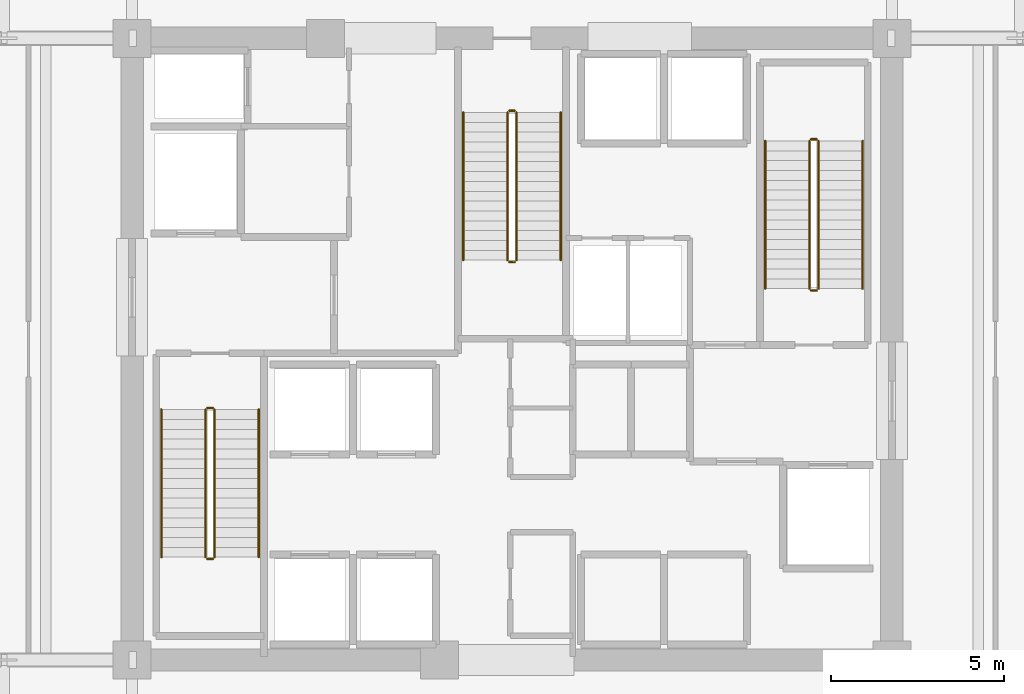
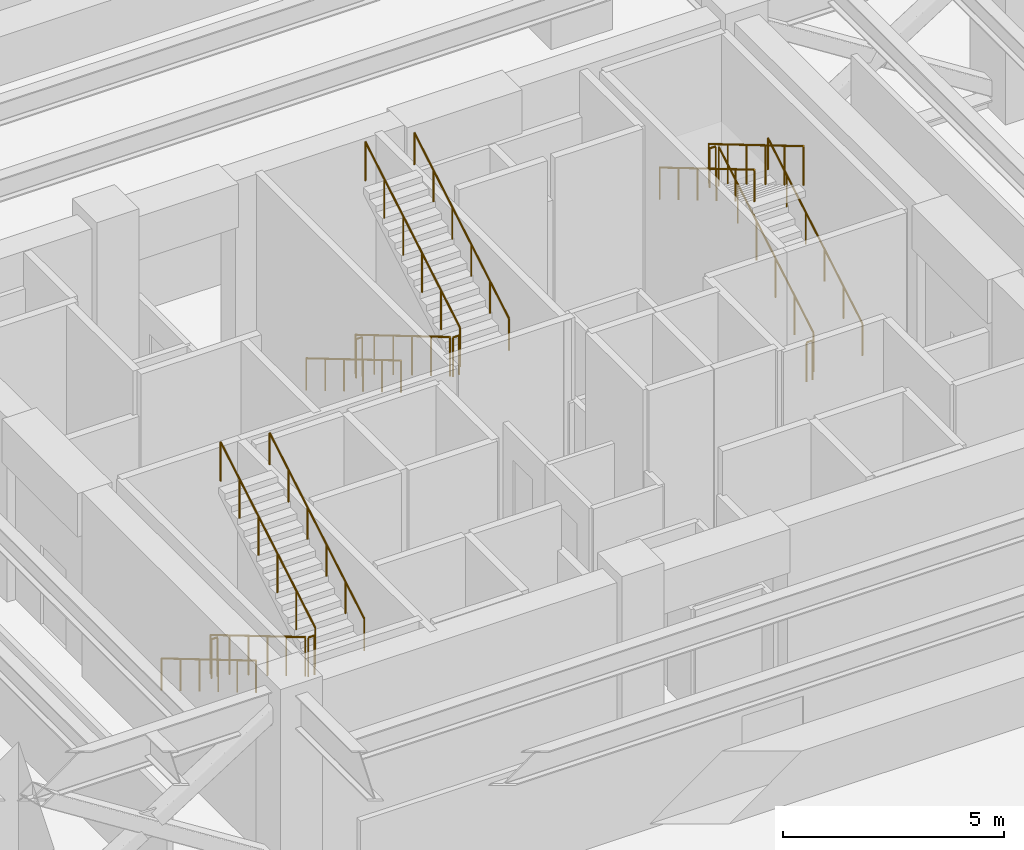
# One storey, part 26 of 26: 18 railings.
"""IFC4 building model written with IfcOpenShell, lengths in metres."""

from ifc_helpers import new_model, si_unit, direction, frame, origin, origin_2d, place, context, subcontext, project, spatial, circle, extrude, material, type_object, element, save


model = new_model("IFC4")

# Units and contexts
model_context = context("Model", 3, precision=1e-05, world=origin(), true_north=direction((0.0, 1.0)))
body_context = subcontext(model_context, "Body", "Model", "MODEL_VIEW")
ifc_project = project(units=[si_unit("LENGTHUNIT", "METRE"), si_unit("AREAUNIT", "SQUARE_METRE"), si_unit("VOLUMEUNIT", "CUBIC_METRE"), si_unit("PLANEANGLEUNIT", "RADIAN"), si_unit("MASSUNIT", "GRAM", prefix="KILO")], contexts=[model_context])

# Site, building, storey
site_placement = place(None, origin())
site = spatial("IfcSite", under=ifc_project, at=site_placement, CompositionType="ELEMENT")
building_placement = place(site_placement, origin())
building = spatial("IfcBuilding", under=site, at=building_placement, Name="Kovane Verandah Tower", CompositionType="ELEMENT")
storey_placement = place(building_placement, frame((0.0, 0.0, 113.0)))
storey = spatial("IfcBuildingStorey", under=building, at=storey_placement, Name="L26", CompositionType="ELEMENT", Elevation=113.0)

# Railings
ifc_material_1 = material(Name="Brushed Stainless Steel Handrail", Category="steel")
railing_type_1 = type_object("IfcRailingType", Name="RL-HAND-920", PredefinedType="HANDRAIL", material=ifc_material_1)
railing_1_placement = place(storey_placement, frame((29.85009765625, 25.75, 0.168701171875)))
element("IfcRailing", 1, at=railing_1_placement, inside=storey, type_object=railing_type_1, Name="L26 ST-01 stair handrail 1", PredefinedType="HANDRAIL", context=body_context, shape_type="SweptSolid", body=[
    extrude(circle(Radius=0.02392578125, at=origin_2d()), frame((0.0, 0.0, 0.8759765625), z_axis=(0.0, -0.860470286479, 0.509500624227), x_axis=(1.0, 0.0, 0.0)), (0.0, 0.0, 1.0), 4.968017578125),
    extrude(circle(Radius=0.02099609375, at=origin_2d()), origin(), (0.0, 0.0, 1.0), 0.851806640625),
    extrude(circle(Radius=0.02099609375, at=origin_2d()), frame((0.0, -0.85498046875, 0.50634765625)), (0.0, 0.0, 1.0), 0.851806640625),
    extrude(circle(Radius=0.02099609375, at=origin_2d()), frame((0.0, -1.7099609375, 1.012451171875)), (0.0, 0.0, 1.0), 0.851806640625),
    extrude(circle(Radius=0.02099609375, at=origin_2d()), frame((0.0, -2.56494140625, 1.518798828125)), (0.0, 0.0, 1.0), 0.851806640625),
    extrude(circle(Radius=0.02099609375, at=origin_2d()), frame((0.0, -3.419921875, 2.02490234375)), (0.0, 0.0, 1.0), 0.851806640625),
    extrude(circle(Radius=0.02099609375, at=origin_2d()), frame((0.0, -4.27490234375, 2.53125)), (0.0, 0.0, 1.0), 0.851806640625),
])
for number, where, name in (
    (2, (32.669921875, 21.47509765625, 2.86865234375), "L26 ST-01 stair handrail 2"),
    (3, (50.14990234375, 29.25, 0.168701171875), "L26 ST-02 stair handrail 1"),
):
    element("IfcRailing", number, at=place(storey_placement, frame(where)), inside=storey, type_object=railing_type_1, Name=name, PredefinedType="HANDRAIL", context=body_context, shape_type="SweptSolid", body=[
        extrude(circle(Radius=0.02392578125, at=origin_2d()), frame((0.0, 0.0, 0.8759765625), z_axis=(0.0, 0.860470286479, 0.509500624227), x_axis=(-1.0, 0.0, 0.0)), (0.0, 0.0, 1.0), 4.968017578125),
        extrude(circle(Radius=0.02099609375, at=origin_2d()), origin(), (0.0, 0.0, 1.0), 0.851806640625),
        extrude(circle(Radius=0.02099609375, at=origin_2d()), frame((0.0, 0.85498046875, 0.50634765625)), (0.0, 0.0, 1.0), 0.851806640625),
        extrude(circle(Radius=0.02099609375, at=origin_2d()), frame((0.0, 1.7099609375, 1.012451171875)), (0.0, 0.0, 1.0), 0.851806640625),
        extrude(circle(Radius=0.02099609375, at=origin_2d()), frame((0.0, 2.56494140625, 1.518798828125)), (0.0, 0.0, 1.0), 0.851806640625),
        extrude(circle(Radius=0.02099609375, at=origin_2d()), frame((0.0, 3.419921875, 2.02490234375)), (0.0, 0.0, 1.0), 0.851806640625),
        extrude(circle(Radius=0.02099609375, at=origin_2d()), frame((0.0, 4.27490234375, 2.53125)), (0.0, 0.0, 1.0), 0.851806640625),
    ])
railing_2_placement = place(storey_placement, frame((47.330078125, 33.52490234375, 2.86865234375)))
element("IfcRailing", 4, at=railing_2_placement, inside=storey, type_object=railing_type_1, Name="L26 ST-02 stair handrail 2", PredefinedType="HANDRAIL", context=body_context, shape_type="SweptSolid", body=[
    extrude(circle(Radius=0.02392578125, at=origin_2d()), frame((0.0, 0.0, 0.8759765625), z_axis=(0.0, -0.860470286479, 0.509500624227), x_axis=(1.0, 0.0, 0.0)), (0.0, 0.0, 1.0), 4.968017578125),
    extrude(circle(Radius=0.02099609375, at=origin_2d()), origin(), (0.0, 0.0, 1.0), 0.851806640625),
    extrude(circle(Radius=0.02099609375, at=origin_2d()), frame((0.0, -0.85498046875, 0.50634765625)), (0.0, 0.0, 1.0), 0.851806640625),
    extrude(circle(Radius=0.02099609375, at=origin_2d()), frame((0.0, -1.7099609375, 1.012451171875)), (0.0, 0.0, 1.0), 0.851806640625),
    extrude(circle(Radius=0.02099609375, at=origin_2d()), frame((0.0, -2.56494140625, 1.518798828125)), (0.0, 0.0, 1.0), 0.851806640625),
    extrude(circle(Radius=0.02099609375, at=origin_2d()), frame((0.0, -3.419921875, 2.02490234375)), (0.0, 0.0, 1.0), 0.851806640625),
    extrude(circle(Radius=0.02099609375, at=origin_2d()), frame((0.0, -4.27490234375, 2.53125)), (0.0, 0.0, 1.0), 0.851806640625),
])
railing_3_placement = place(storey_placement, frame((38.590087890625, 34.35009765625, 0.168701171875)))
element("IfcRailing", 5, at=railing_3_placement, inside=storey, type_object=railing_type_1, Name="L26 ST-03 stair handrail 1", PredefinedType="HANDRAIL", context=body_context, shape_type="SweptSolid", body=[
    extrude(circle(Radius=0.02392578125, at=origin_2d()), frame((0.0, 0.0, 0.8759765625), z_axis=(0.0, -0.860483042394, 0.50947908078), x_axis=(1.0, 0.0, 0.0)), (0.0, 0.0, 1.0), 4.96826171875),
    extrude(circle(Radius=0.02099609375, at=origin_2d()), origin(), (0.0, 0.0, 1.0), 0.851806640625),
    extrude(circle(Radius=0.02099609375, at=origin_2d()), frame((0.0, -0.85498046875, 0.50634765625)), (0.0, 0.0, 1.0), 0.851806640625),
    extrude(circle(Radius=0.02099609375, at=origin_2d()), frame((0.0, -1.7099609375, 1.012451171875)), (0.0, 0.0, 1.0), 0.851806640625),
    extrude(circle(Radius=0.02099609375, at=origin_2d()), frame((0.0, -2.565185546875, 1.518798828125)), (0.0, 0.0, 1.0), 0.851806640625),
    extrude(circle(Radius=0.02099609375, at=origin_2d()), frame((0.0, -3.420166015625, 2.02490234375)), (0.0, 0.0, 1.0), 0.851806640625),
    extrude(circle(Radius=0.02099609375, at=origin_2d()), frame((0.0, -4.275146484375, 2.53125)), (0.0, 0.0, 1.0), 0.851806640625),
])
railing_4_placement = place(storey_placement, frame((41.409912109375, 30.074951171875, 2.86865234375)))
element("IfcRailing", 6, at=railing_4_placement, inside=storey, type_object=railing_type_1, Name="L26 ST-03 stair handrail 2", PredefinedType="HANDRAIL", context=body_context, shape_type="SweptSolid", body=[
    extrude(circle(Radius=0.02392578125, at=origin_2d()), frame((0.0, 0.0, 0.8759765625), z_axis=(0.0, 0.860483042394, 0.50947908078), x_axis=(-1.0, 0.0, 0.0)), (0.0, 0.0, 1.0), 4.96826171875),
    extrude(circle(Radius=0.02099609375, at=origin_2d()), origin(), (0.0, 0.0, 1.0), 0.851806640625),
    extrude(circle(Radius=0.02099609375, at=origin_2d()), frame((0.0, 0.85498046875, 0.50634765625)), (0.0, 0.0, 1.0), 0.851806640625),
    extrude(circle(Radius=0.02099609375, at=origin_2d()), frame((0.0, 1.7099609375, 1.012451171875)), (0.0, 0.0, 1.0), 0.851806640625),
    extrude(circle(Radius=0.02099609375, at=origin_2d()), frame((0.0, 2.565185546875, 1.518798828125)), (0.0, 0.0, 1.0), 0.851806640625),
    extrude(circle(Radius=0.02099609375, at=origin_2d()), frame((0.0, 3.420166015625, 2.02490234375)), (0.0, 0.0, 1.0), 0.851806640625),
    extrude(circle(Radius=0.02099609375, at=origin_2d()), frame((0.0, 4.275146484375, 2.53125)), (0.0, 0.0, 1.0), 0.851806640625),
])
ifc_material_2 = material(Name="Painted Steel Stairwell Guardrail", Category="steel")
railing_type_2 = type_object("IfcRailingType", Name="RL-STGUARD-1120", PredefinedType="GUARDRAIL", material=ifc_material_2)
railing_5_placement = place(storey_placement, frame((31.1298828125, 25.75, 0.168701171875)))
element("IfcRailing", 7, at=railing_5_placement, inside=storey, type_object=railing_type_2, Name="L26 ST-01 stair guard 1", PredefinedType="GUARDRAIL", context=body_context, shape_type="SweptSolid", body=[
    extrude(circle(Radius=0.02392578125, at=origin_2d()), frame((0.0, 0.0, 1.076171875), z_axis=(0.0, -0.860470286479, 0.509500624227), x_axis=(1.0, 0.0, 0.0)), (0.0, 0.0, 1.0), 4.968017578125),
    extrude(circle(Radius=0.02099609375, at=origin_2d()), origin(), (0.0, 0.0, 1.0), 1.052001953125),
    extrude(circle(Radius=0.02099609375, at=origin_2d()), frame((0.0, -0.85498046875, 0.50634765625)), (0.0, 0.0, 1.0), 1.052001953125),
    extrude(circle(Radius=0.02099609375, at=origin_2d()), frame((0.0, -1.7099609375, 1.012451171875)), (0.0, 0.0, 1.0), 1.052001953125),
    extrude(circle(Radius=0.02099609375, at=origin_2d()), frame((0.0, -2.56494140625, 1.518798828125)), (0.0, 0.0, 1.0), 1.052001953125),
    extrude(circle(Radius=0.02099609375, at=origin_2d()), frame((0.0, -3.419921875, 2.02490234375)), (0.0, 0.0, 1.0), 1.052001953125),
    extrude(circle(Radius=0.02099609375, at=origin_2d()), frame((0.0, -4.27490234375, 2.53125)), (0.0, 0.0, 1.0), 1.052001953125),
])
railing_6_placement = place(storey_placement, frame((31.179931640625, 21.425048828125, 2.699951171875)))
element("IfcRailing", 8, at=railing_6_placement, inside=storey, type_object=railing_type_2, Name="L26 ST-01 stair guard 2", PredefinedType="GUARDRAIL", context=body_context, shape_type="SweptSolid", body=[
    extrude(circle(Radius=0.02392578125, at=origin_2d()), frame((0.0, 0.0, 1.076171875), z_axis=(1.0, 0.0, 0.0), x_axis=(0.0, 1.0, 0.0)), (0.0, 0.0, 1.0), 0.16015625),
    extrude(circle(Radius=0.02099609375, at=origin_2d()), origin(), (0.0, 0.0, 1.0), 1.052001953125),
    extrude(circle(Radius=0.02099609375, at=origin_2d()), frame((0.16015625, 0.0, 0.0)), (0.0, 0.0, 1.0), 1.052001953125),
])
railing_7_placement = place(storey_placement, frame((31.389892578125, 21.47509765625, 2.86865234375)))
element("IfcRailing", 9, at=railing_7_placement, inside=storey, type_object=railing_type_2, Name="L26 ST-01 stair guard 3", PredefinedType="GUARDRAIL", context=body_context, shape_type="SweptSolid", body=[
    extrude(circle(Radius=0.02392578125, at=origin_2d()), frame((0.0, 0.0, 1.076171875), z_axis=(0.0, 0.860470286479, 0.509500624227), x_axis=(-1.0, 0.0, 0.0)), (0.0, 0.0, 1.0), 4.968017578125),
    extrude(circle(Radius=0.02099609375, at=origin_2d()), origin(), (0.0, 0.0, 1.0), 1.052001953125),
    extrude(circle(Radius=0.02099609375, at=origin_2d()), frame((0.0, 0.85498046875, 0.50634765625)), (0.0, 0.0, 1.0), 1.052001953125),
    extrude(circle(Radius=0.02099609375, at=origin_2d()), frame((0.0, 1.7099609375, 1.012451171875)), (0.0, 0.0, 1.0), 1.052001953125),
    extrude(circle(Radius=0.02099609375, at=origin_2d()), frame((0.0, 2.56494140625, 1.518798828125)), (0.0, 0.0, 1.0), 1.052001953125),
    extrude(circle(Radius=0.02099609375, at=origin_2d()), frame((0.0, 3.419921875, 2.02490234375)), (0.0, 0.0, 1.0), 1.052001953125),
    extrude(circle(Radius=0.02099609375, at=origin_2d()), frame((0.0, 4.27490234375, 2.53125)), (0.0, 0.0, 1.0), 1.052001953125),
])
railing_8_placement = place(storey_placement, frame((31.179931640625, 25.800048828125, 0.0)))
element("IfcRailing", 10, at=railing_8_placement, inside=storey, type_object=railing_type_2, Name="L26 ST-01 stair guard 4", PredefinedType="GUARDRAIL", context=body_context, shape_type="SweptSolid", body=[
    extrude(circle(Radius=0.02392578125, at=origin_2d()), frame((0.0, 0.0, 1.076171875), z_axis=(1.0, 0.0, 0.0), x_axis=(0.0, 1.0, 0.0)), (0.0, 0.0, 1.0), 0.16015625),
    extrude(circle(Radius=0.02099609375, at=origin_2d()), origin(), (0.0, 0.0, 1.0), 1.052001953125),
    extrude(circle(Radius=0.02099609375, at=origin_2d()), frame((0.16015625, 0.0, 0.0)), (0.0, 0.0, 1.0), 1.052001953125),
])
railing_9_placement = place(storey_placement, frame((48.8701171875, 29.25, 0.168701171875)))
element("IfcRailing", 11, at=railing_9_placement, inside=storey, type_object=railing_type_2, Name="L26 ST-02 stair guard 1", PredefinedType="GUARDRAIL", context=body_context, shape_type="SweptSolid", body=[
    extrude(circle(Radius=0.02392578125, at=origin_2d()), frame((0.0, 0.0, 1.076171875), z_axis=(0.0, 0.860470286479, 0.509500624227), x_axis=(-1.0, 0.0, 0.0)), (0.0, 0.0, 1.0), 4.968017578125),
    extrude(circle(Radius=0.02099609375, at=origin_2d()), origin(), (0.0, 0.0, 1.0), 1.052001953125),
    extrude(circle(Radius=0.02099609375, at=origin_2d()), frame((0.0, 0.85498046875, 0.50634765625)), (0.0, 0.0, 1.0), 1.052001953125),
    extrude(circle(Radius=0.02099609375, at=origin_2d()), frame((0.0, 1.7099609375, 1.012451171875)), (0.0, 0.0, 1.0), 1.052001953125),
    extrude(circle(Radius=0.02099609375, at=origin_2d()), frame((0.0, 2.56494140625, 1.518798828125)), (0.0, 0.0, 1.0), 1.052001953125),
    extrude(circle(Radius=0.02099609375, at=origin_2d()), frame((0.0, 3.419921875, 2.02490234375)), (0.0, 0.0, 1.0), 1.052001953125),
    extrude(circle(Radius=0.02099609375, at=origin_2d()), frame((0.0, 4.27490234375, 2.53125)), (0.0, 0.0, 1.0), 1.052001953125),
])
railing_10_placement = place(storey_placement, frame((48.820068359375, 33.574951171875, 2.699951171875)))
element("IfcRailing", 12, at=railing_10_placement, inside=storey, type_object=railing_type_2, Name="L26 ST-02 stair guard 2", PredefinedType="GUARDRAIL", context=body_context, shape_type="SweptSolid", body=[
    extrude(circle(Radius=0.02392578125, at=origin_2d()), frame((0.0, 0.0, 1.076171875), z_axis=(-1.0, 0.0, 0.0), x_axis=(0.0, -1.0, 0.0)), (0.0, 0.0, 1.0), 0.16015625),
    extrude(circle(Radius=0.02099609375, at=origin_2d()), origin(), (0.0, 0.0, 1.0), 1.052001953125),
    extrude(circle(Radius=0.02099609375, at=origin_2d()), frame((-0.16015625, 0.0, 0.0)), (0.0, 0.0, 1.0), 1.052001953125),
])
railing_11_placement = place(storey_placement, frame((48.610107421875, 33.52490234375, 2.86865234375)))
element("IfcRailing", 13, at=railing_11_placement, inside=storey, type_object=railing_type_2, Name="L26 ST-02 stair guard 3", PredefinedType="GUARDRAIL", context=body_context, shape_type="SweptSolid", body=[
    extrude(circle(Radius=0.02392578125, at=origin_2d()), frame((0.0, 0.0, 1.076171875), z_axis=(0.0, -0.860470286479, 0.509500624227), x_axis=(1.0, 0.0, 0.0)), (0.0, 0.0, 1.0), 4.968017578125),
    extrude(circle(Radius=0.02099609375, at=origin_2d()), origin(), (0.0, 0.0, 1.0), 1.052001953125),
    extrude(circle(Radius=0.02099609375, at=origin_2d()), frame((0.0, -0.85498046875, 0.50634765625)), (0.0, 0.0, 1.0), 1.052001953125),
    extrude(circle(Radius=0.02099609375, at=origin_2d()), frame((0.0, -1.7099609375, 1.012451171875)), (0.0, 0.0, 1.0), 1.052001953125),
    extrude(circle(Radius=0.02099609375, at=origin_2d()), frame((0.0, -2.56494140625, 1.518798828125)), (0.0, 0.0, 1.0), 1.052001953125),
    extrude(circle(Radius=0.02099609375, at=origin_2d()), frame((0.0, -3.419921875, 2.02490234375)), (0.0, 0.0, 1.0), 1.052001953125),
    extrude(circle(Radius=0.02099609375, at=origin_2d()), frame((0.0, -4.27490234375, 2.53125)), (0.0, 0.0, 1.0), 1.052001953125),
])
railing_12_placement = place(storey_placement, frame((48.820068359375, 29.199951171875, 0.0)))
element("IfcRailing", 14, at=railing_12_placement, inside=storey, type_object=railing_type_2, Name="L26 ST-02 stair guard 4", PredefinedType="GUARDRAIL", context=body_context, shape_type="SweptSolid", body=[
    extrude(circle(Radius=0.02392578125, at=origin_2d()), frame((0.0, 0.0, 1.076171875), z_axis=(-1.0, 0.0, 0.0), x_axis=(0.0, -1.0, 0.0)), (0.0, 0.0, 1.0), 0.16015625),
    extrude(circle(Radius=0.02099609375, at=origin_2d()), origin(), (0.0, 0.0, 1.0), 1.052001953125),
    extrude(circle(Radius=0.02099609375, at=origin_2d()), frame((-0.16015625, 0.0, 0.0)), (0.0, 0.0, 1.0), 1.052001953125),
])
railing_13_placement = place(storey_placement, frame((39.8701171875, 34.35009765625, 0.168701171875)))
element("IfcRailing", 15, at=railing_13_placement, inside=storey, type_object=railing_type_2, Name="L26 ST-03 stair guard 1", PredefinedType="GUARDRAIL", context=body_context, shape_type="SweptSolid", body=[
    extrude(circle(Radius=0.02392578125, at=origin_2d()), frame((0.0, 0.0, 1.076171875), z_axis=(0.0, -0.860483042394, 0.50947908078), x_axis=(1.0, 0.0, 0.0)), (0.0, 0.0, 1.0), 4.96826171875),
    extrude(circle(Radius=0.02099609375, at=origin_2d()), origin(), (0.0, 0.0, 1.0), 1.052001953125),
    extrude(circle(Radius=0.02099609375, at=origin_2d()), frame((0.0, -0.85498046875, 0.50634765625)), (0.0, 0.0, 1.0), 1.052001953125),
    extrude(circle(Radius=0.02099609375, at=origin_2d()), frame((0.0, -1.7099609375, 1.012451171875)), (0.0, 0.0, 1.0), 1.052001953125),
    extrude(circle(Radius=0.02099609375, at=origin_2d()), frame((0.0, -2.565185546875, 1.518798828125)), (0.0, 0.0, 1.0), 1.052001953125),
    extrude(circle(Radius=0.02099609375, at=origin_2d()), frame((0.0, -3.420166015625, 2.02490234375)), (0.0, 0.0, 1.0), 1.052001953125),
    extrude(circle(Radius=0.02099609375, at=origin_2d()), frame((0.0, -4.275146484375, 2.53125)), (0.0, 0.0, 1.0), 1.052001953125),
])
railing_14_placement = place(storey_placement, frame((39.919921875, 30.02490234375, 2.699951171875)))
element("IfcRailing", 16, at=railing_14_placement, inside=storey, type_object=railing_type_2, Name="L26 ST-03 stair guard 2", PredefinedType="GUARDRAIL", context=body_context, shape_type="SweptSolid", body=[
    extrude(circle(Radius=0.02392578125, at=origin_2d()), frame((0.0, 0.0, 1.076171875), z_axis=(1.0, 0.0, 0.0), x_axis=(0.0, 1.0, 0.0)), (0.0, 0.0, 1.0), 0.16015625),
    extrude(circle(Radius=0.02099609375, at=origin_2d()), origin(), (0.0, 0.0, 1.0), 1.052001953125),
    extrude(circle(Radius=0.02099609375, at=origin_2d()), frame((0.16015625, 0.0, 0.0)), (0.0, 0.0, 1.0), 1.052001953125),
])
railing_15_placement = place(storey_placement, frame((40.1298828125, 30.074951171875, 2.86865234375)))
element("IfcRailing", 17, at=railing_15_placement, inside=storey, type_object=railing_type_2, Name="L26 ST-03 stair guard 3", PredefinedType="GUARDRAIL", context=body_context, shape_type="SweptSolid", body=[
    extrude(circle(Radius=0.02392578125, at=origin_2d()), frame((0.0, 0.0, 1.076171875), z_axis=(0.0, 0.860483042394, 0.50947908078), x_axis=(-1.0, 0.0, 0.0)), (0.0, 0.0, 1.0), 4.96826171875),
    extrude(circle(Radius=0.02099609375, at=origin_2d()), origin(), (0.0, 0.0, 1.0), 1.052001953125),
    extrude(circle(Radius=0.02099609375, at=origin_2d()), frame((0.0, 0.85498046875, 0.50634765625)), (0.0, 0.0, 1.0), 1.052001953125),
    extrude(circle(Radius=0.02099609375, at=origin_2d()), frame((0.0, 1.7099609375, 1.012451171875)), (0.0, 0.0, 1.0), 1.052001953125),
    extrude(circle(Radius=0.02099609375, at=origin_2d()), frame((0.0, 2.565185546875, 1.518798828125)), (0.0, 0.0, 1.0), 1.052001953125),
    extrude(circle(Radius=0.02099609375, at=origin_2d()), frame((0.0, 3.420166015625, 2.02490234375)), (0.0, 0.0, 1.0), 1.052001953125),
    extrude(circle(Radius=0.02099609375, at=origin_2d()), frame((0.0, 4.275146484375, 2.53125)), (0.0, 0.0, 1.0), 1.052001953125),
])
railing_16_placement = place(storey_placement, frame((39.919921875, 34.39990234375, 0.0)))
element("IfcRailing", 18, at=railing_16_placement, inside=storey, type_object=railing_type_2, Name="L26 ST-03 stair guard 4", PredefinedType="GUARDRAIL", context=body_context, shape_type="SweptSolid", body=[
    extrude(circle(Radius=0.02392578125, at=origin_2d()), frame((0.0, 0.0, 1.076171875), z_axis=(1.0, 0.0, 0.0), x_axis=(0.0, 1.0, 0.0)), (0.0, 0.0, 1.0), 0.16015625),
    extrude(circle(Radius=0.02099609375, at=origin_2d()), origin(), (0.0, 0.0, 1.0), 1.052001953125),
    extrude(circle(Radius=0.02099609375, at=origin_2d()), frame((0.16015625, 0.0, 0.0)), (0.0, 0.0, 1.0), 1.052001953125),
])

save(model, "model.ifc")
